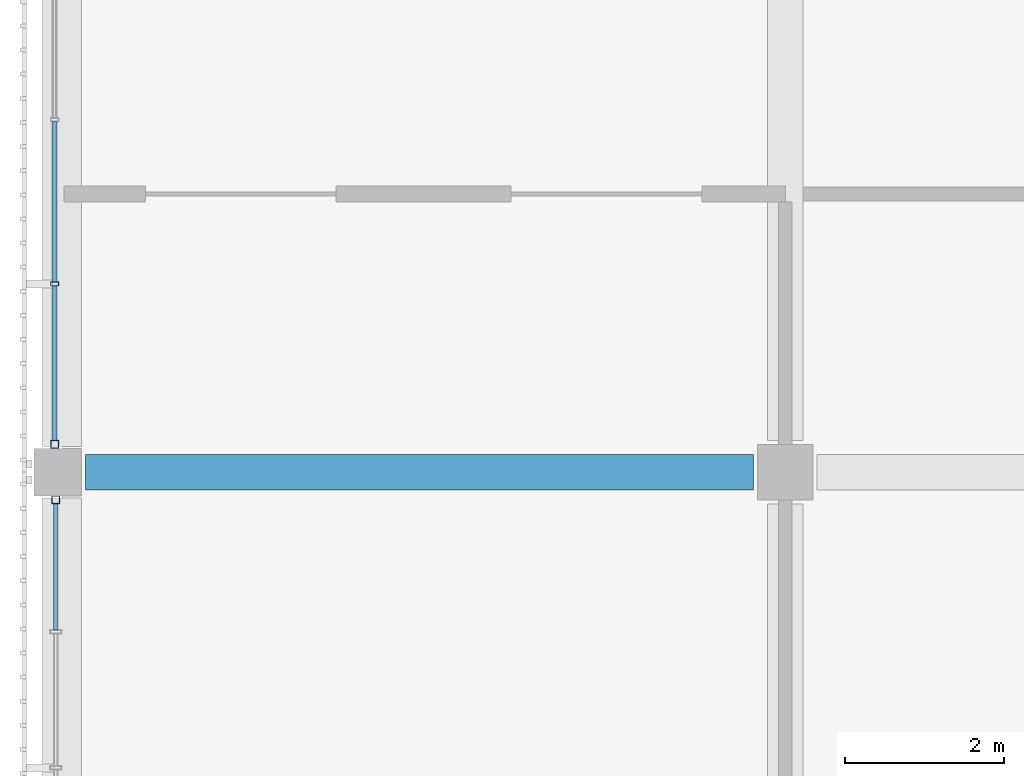
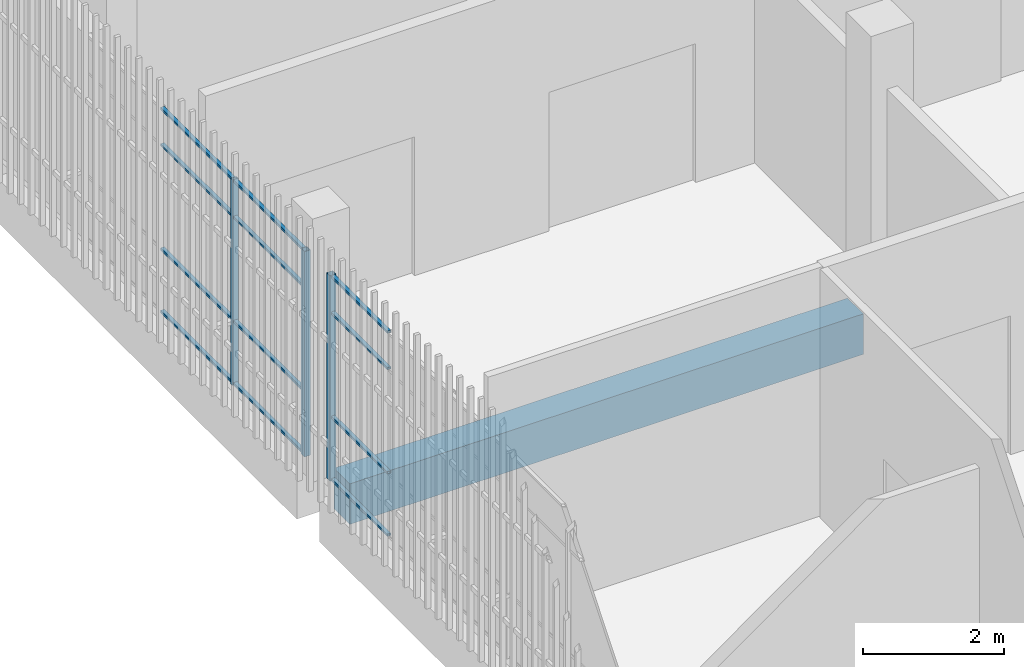
# One storey, part 33 of 139: 15 members, 1 beam, 2 elements without a shape of their own.
"""IFC4 building model written with IfcOpenShell, lengths in metres."""

from ifc_helpers import new_model, si_unit, direction, frame, origin, origin_2d, place, context, subcontext, project, spatial, rectangle, hollow_rectangle, extrude, material, layer, layer_set, material_profile, profile_set, type_object, element, aggregate, save


model = new_model("IFC4")

# Units and contexts
model_context = context("Model", 3, precision=1e-05, world=origin(), true_north=direction((0.0, 1.0)))
body_context = subcontext(model_context, "Body", "Model", "MODEL_VIEW")
ifc_project = project(units=[si_unit("LENGTHUNIT", "METRE"), si_unit("AREAUNIT", "SQUARE_METRE"), si_unit("VOLUMEUNIT", "CUBIC_METRE"), si_unit("PLANEANGLEUNIT", "RADIAN"), si_unit("MASSUNIT", "GRAM", prefix="KILO")], contexts=[model_context])

# Site, building, storey
site_placement = place(None, origin())
site = spatial("IfcSite", under=ifc_project, at=site_placement, CompositionType="ELEMENT")
building_placement = place(site_placement, origin())
building = spatial("IfcBuilding", under=site, at=building_placement, Name="Shirokan Park Arena", CompositionType="ELEMENT")
storey_placement = place(building_placement, frame((0.0, 0.0, 15.469970703125)))
storey = spatial("IfcBuildingStorey", under=building, at=storey_placement, Name="L03", CompositionType="ELEMENT", Elevation=15.469970703125)

# Curtain wall, member
ifc_material_1 = material(Name="Steel and glass curtain wall", Category="steel")
ifc_layer_1 = layer(ifc_material_1, 0.1201171875)
ifc_layer_set_1 = layer_set([ifc_layer_1], Name="Steel and glass curtain wall 120 mm")
curtain_wall_type_1 = type_object("IfcCurtainWallType", Name="Curtain wall corner block side bay 120", PredefinedType="NOTDEFINED", material=ifc_layer_set_1)
curtain_wall_1_placement = place(storey_placement, origin())
curtain_wall_1 = element("IfcCurtainWall", 1, at=curtain_wall_1_placement, inside=storey, type_object=curtain_wall_type_1, Name="Curtain wall west bay 4 L03", PredefinedType="NOTDEFINED")
ifc_material_2 = material(Name="Steel S355", Category="steel")
ifc_material_profile_1 = material_profile(ifc_material_2, hollow_rectangle(XDim=0.10009765625, YDim=0.10009765625, WallThickness=0.006103515625, at=origin_2d()), Name="RHS 100x100x6")
ifc_profile_set_1 = profile_set([ifc_material_profile_1], Name="Steel S355")
member_type_1 = type_object("IfcMemberType", Name="Mullion RHS 100x100x6", PredefinedType="MULLION", material=ifc_profile_set_1)
member_1_placement = place(storey_placement, frame((-0.090087890625, 73.14990234375, 0.0), z_axis=(0.0, 0.0, 1.0), x_axis=(1.0, 0.0, 0.0)))
member_1 = element("IfcMember", 2, at=member_1_placement, type_object=member_type_1, Name="CW3 mullion 4", PredefinedType="MULLION", context=body_context, shape_type="SweptSolid", body=[
    extrude(hollow_rectangle(XDim=0.10009765625, YDim=0.10009765625, WallThickness=0.006103515625, at=origin_2d()), origin(), (0.0, 0.0, 1.0), 3.550048828125),
])

ifc_layer_2 = layer(ifc_material_1, 0.14990234375)
ifc_layer_set_2 = layer_set([ifc_layer_2], Name="Steel and glass curtain wall 150 mm")
curtain_wall_type_2 = type_object("IfcCurtainWallType", Name="Curtain wall exposed bay 150", PredefinedType="NOTDEFINED", material=ifc_layer_set_2)
curtain_wall_2_placement = place(storey_placement, origin())
curtain_wall_2 = element("IfcCurtainWall", 3, at=curtain_wall_2_placement, inside=storey, type_object=curtain_wall_type_2, Name="Curtain wall west bay 5 L03", PredefinedType="NOTDEFINED")
member_2_placement = place(storey_placement, frame((-0.074951171875, 72.449951171875, 0.0), z_axis=(0.0, 0.0, 1.0), x_axis=(1.0, 0.0, 0.0)))
member_2 = element("IfcMember", 4, at=member_2_placement, type_object=member_type_1, Name="CW1 mullion 1", PredefinedType="MULLION", context=body_context, shape_type="SweptSolid", body=[
    extrude(hollow_rectangle(XDim=0.10009765625, YDim=0.10009765625, WallThickness=0.006103515625, at=origin_2d()), origin(), (0.0, 0.0, 1.0), 3.550048828125),
])

# Member
ifc_material_profile_2 = material_profile(ifc_material_2, hollow_rectangle(XDim=0.10009765625, YDim=0.050048828125, WallThickness=0.0048828125, at=origin_2d()), Name="RHS 100x50x5")
ifc_profile_set_2 = profile_set([ifc_material_profile_2], Name="Steel S355")
member_type_2 = type_object("IfcMemberType", Name="Mullion RHS 100x50x5", PredefinedType="MULLION", material=ifc_profile_set_2)
member_3_placement = place(storey_placement, frame((-0.090087890625, 75.166748046875, 0.0), z_axis=(0.0, 0.0, 1.0), x_axis=(1.0, 0.0, 0.0)))
member_3 = element("IfcMember", 5, at=member_3_placement, type_object=member_type_2, Name="CW3 mullion 3", PredefinedType="MULLION", context=body_context, shape_type="SweptSolid", body=[
    extrude(hollow_rectangle(XDim=0.10009765625, YDim=0.050048828125, WallThickness=0.0048828125, at=origin_2d()), origin(), (0.0, 0.0, 1.0), 3.550048828125),
])

# Beam
ifc_material_3 = material(Name="Concrete C35", Category="concrete")
ifc_material_profile_3 = material_profile(ifc_material_3, rectangle(XDim=0.449951171875, YDim=0.699951171875, at=origin_2d()), Name="450x700")
ifc_profile_set_3 = profile_set([ifc_material_profile_3], Name="Concrete C35")
beam_type = type_object("IfcBeamType", Name="RC girder 450x700", PredefinedType="BEAM", material=ifc_profile_set_3)
beam_placement = place(storey_placement, frame((0.300048828125, 72.800048828125, -0.64990234375), z_axis=(1.0, 0.0, 0.0), x_axis=(0.0, 1.0, 0.0)))
element("IfcBeam", 6, at=beam_placement, inside=storey, type_object=beam_type, Name="Girder 1J-2J L03", PredefinedType="BEAM", context=body_context, shape_type="SweptSolid", body=[
    extrude(rectangle(XDim=0.449951171875, YDim=0.699951171875, at=origin_2d()), origin(), (0.0, 0.0, 1.0), 8.39990234375),
])

# Member
ifc_material_profile_4 = material_profile(ifc_material_2, hollow_rectangle(XDim=0.06005859375, YDim=0.0400390625, WallThickness=0.00390625, at=origin_2d()), Name="RHS 60x40x4")
ifc_profile_set_4 = profile_set([ifc_material_profile_4], Name="Steel S355")
member_type_3 = type_object("IfcMemberType", Name="Transom RHS 60x40x4", PredefinedType="MULLION", material=ifc_profile_set_4)
member_4_placement = place(storey_placement, frame((-0.090087890625, 77.208251953125, 0.02001953125), z_axis=(0.0, -1.0, 0.0), x_axis=(1.0, 0.0, 0.0)))
member_4 = element("IfcMember", 7, at=member_4_placement, type_object=member_type_3, Name="CW3 transom 2.1", PredefinedType="MULLION", context=body_context, shape_type="SweptSolid", body=[
    extrude(hollow_rectangle(XDim=0.06005859375, YDim=0.0400390625, WallThickness=0.00390625, at=origin_2d()), origin(), (0.0, 0.0, 1.0), 2.0166015625),
])

member_5_placement = place(storey_placement, frame((-0.090087890625, 77.208251953125, 1.10009765625), z_axis=(0.0, -1.0, 0.0), x_axis=(1.0, 0.0, 0.0)))
member_5 = element("IfcMember", 8, at=member_5_placement, type_object=member_type_3, Name="CW3 transom 2.2", PredefinedType="MULLION", context=body_context, shape_type="SweptSolid", body=[
    extrude(hollow_rectangle(XDim=0.06005859375, YDim=0.0400390625, WallThickness=0.00390625, at=origin_2d()), origin(), (0.0, 0.0, 1.0), 2.0166015625),
])

member_6_placement = place(storey_placement, frame((-0.090087890625, 77.208251953125, 2.900146484375), z_axis=(0.0, -1.0, 0.0), x_axis=(1.0, 0.0, 0.0)))
member_6 = element("IfcMember", 9, at=member_6_placement, type_object=member_type_3, Name="CW3 transom 2.3", PredefinedType="MULLION", context=body_context, shape_type="SweptSolid", body=[
    extrude(hollow_rectangle(XDim=0.06005859375, YDim=0.0400390625, WallThickness=0.00390625, at=origin_2d()), origin(), (0.0, 0.0, 1.0), 2.0166015625),
])

member_7_placement = place(storey_placement, frame((-0.090087890625, 77.208251953125, 3.530029296875), z_axis=(0.0, -1.0, 0.0), x_axis=(1.0, 0.0, 0.0)))
member_7 = element("IfcMember", 10, at=member_7_placement, type_object=member_type_3, Name="CW3 transom 2.4", PredefinedType="MULLION", context=body_context, shape_type="SweptSolid", body=[
    extrude(hollow_rectangle(XDim=0.06005859375, YDim=0.0400390625, WallThickness=0.00390625, at=origin_2d()), origin(), (0.0, 0.0, 1.0), 2.0166015625),
])

member_8_placement = place(storey_placement, frame((-0.090087890625, 75.1416015625, 0.02001953125), z_axis=(0.0, -1.0, 0.0), x_axis=(1.0, 0.0, 0.0)))
member_8 = element("IfcMember", 11, at=member_8_placement, type_object=member_type_3, Name="CW3 transom 3.1", PredefinedType="MULLION", context=body_context, shape_type="SweptSolid", body=[
    extrude(hollow_rectangle(XDim=0.06005859375, YDim=0.0400390625, WallThickness=0.00390625, at=origin_2d()), origin(), (0.0, 0.0, 1.0), 1.941650390625),
])

member_9_placement = place(storey_placement, frame((-0.090087890625, 75.1416015625, 1.10009765625), z_axis=(0.0, -1.0, 0.0), x_axis=(1.0, 0.0, 0.0)))
member_9 = element("IfcMember", 12, at=member_9_placement, type_object=member_type_3, Name="CW3 transom 3.2", PredefinedType="MULLION", context=body_context, shape_type="SweptSolid", body=[
    extrude(hollow_rectangle(XDim=0.06005859375, YDim=0.0400390625, WallThickness=0.00390625, at=origin_2d()), origin(), (0.0, 0.0, 1.0), 1.941650390625),
])

member_10_placement = place(storey_placement, frame((-0.090087890625, 75.1416015625, 2.900146484375), z_axis=(0.0, -1.0, 0.0), x_axis=(1.0, 0.0, 0.0)))
member_10 = element("IfcMember", 13, at=member_10_placement, type_object=member_type_3, Name="CW3 transom 3.3", PredefinedType="MULLION", context=body_context, shape_type="SweptSolid", body=[
    extrude(hollow_rectangle(XDim=0.06005859375, YDim=0.0400390625, WallThickness=0.00390625, at=origin_2d()), origin(), (0.0, 0.0, 1.0), 1.941650390625),
])

member_11_placement = place(storey_placement, frame((-0.090087890625, 75.1416015625, 3.530029296875), z_axis=(0.0, -1.0, 0.0), x_axis=(1.0, 0.0, 0.0)))
member_11 = element("IfcMember", 14, at=member_11_placement, type_object=member_type_3, Name="CW3 transom 3.4", PredefinedType="MULLION", context=body_context, shape_type="SweptSolid", body=[
    extrude(hollow_rectangle(XDim=0.06005859375, YDim=0.0400390625, WallThickness=0.00390625, at=origin_2d()), origin(), (0.0, 0.0, 1.0), 1.941650390625),
])

aggregate(curtain_wall_1, [member_3, member_1, member_4, member_5, member_6, member_7, member_8, member_9, member_10, member_11])

member_12_placement = place(storey_placement, frame((-0.074951171875, 72.39990234375, 0.02001953125), z_axis=(0.0, -1.0, 0.0), x_axis=(1.0, 0.0, 0.0)))
member_12 = element("IfcMember", 15, at=member_12_placement, type_object=member_type_3, Name="CW1 transom 1.1", PredefinedType="MULLION", context=body_context, shape_type="SweptSolid", body=[
    extrude(hollow_rectangle(XDim=0.06005859375, YDim=0.0400390625, WallThickness=0.00390625, at=origin_2d()), origin(), (0.0, 0.0, 1.0), 1.5849609375),
])

member_13_placement = place(storey_placement, frame((-0.074951171875, 72.39990234375, 1.10009765625), z_axis=(0.0, -1.0, 0.0), x_axis=(1.0, 0.0, 0.0)))
member_13 = element("IfcMember", 16, at=member_13_placement, type_object=member_type_3, Name="CW1 transom 1.2", PredefinedType="MULLION", context=body_context, shape_type="SweptSolid", body=[
    extrude(hollow_rectangle(XDim=0.06005859375, YDim=0.0400390625, WallThickness=0.00390625, at=origin_2d()), origin(), (0.0, 0.0, 1.0), 1.5849609375),
])

member_14_placement = place(storey_placement, frame((-0.074951171875, 72.39990234375, 2.900146484375), z_axis=(0.0, -1.0, 0.0), x_axis=(1.0, 0.0, 0.0)))
member_14 = element("IfcMember", 17, at=member_14_placement, type_object=member_type_3, Name="CW1 transom 1.3", PredefinedType="MULLION", context=body_context, shape_type="SweptSolid", body=[
    extrude(hollow_rectangle(XDim=0.06005859375, YDim=0.0400390625, WallThickness=0.00390625, at=origin_2d()), origin(), (0.0, 0.0, 1.0), 1.5849609375),
])

member_15_placement = place(storey_placement, frame((-0.074951171875, 72.39990234375, 3.530029296875), z_axis=(0.0, -1.0, 0.0), x_axis=(1.0, 0.0, 0.0)))
member_15 = element("IfcMember", 18, at=member_15_placement, type_object=member_type_3, Name="CW1 transom 1.4", PredefinedType="MULLION", context=body_context, shape_type="SweptSolid", body=[
    extrude(hollow_rectangle(XDim=0.06005859375, YDim=0.0400390625, WallThickness=0.00390625, at=origin_2d()), origin(), (0.0, 0.0, 1.0), 1.5849609375),
])

aggregate(curtain_wall_2, [member_2, member_12, member_13, member_14, member_15])

save(model, "model.ifc")
